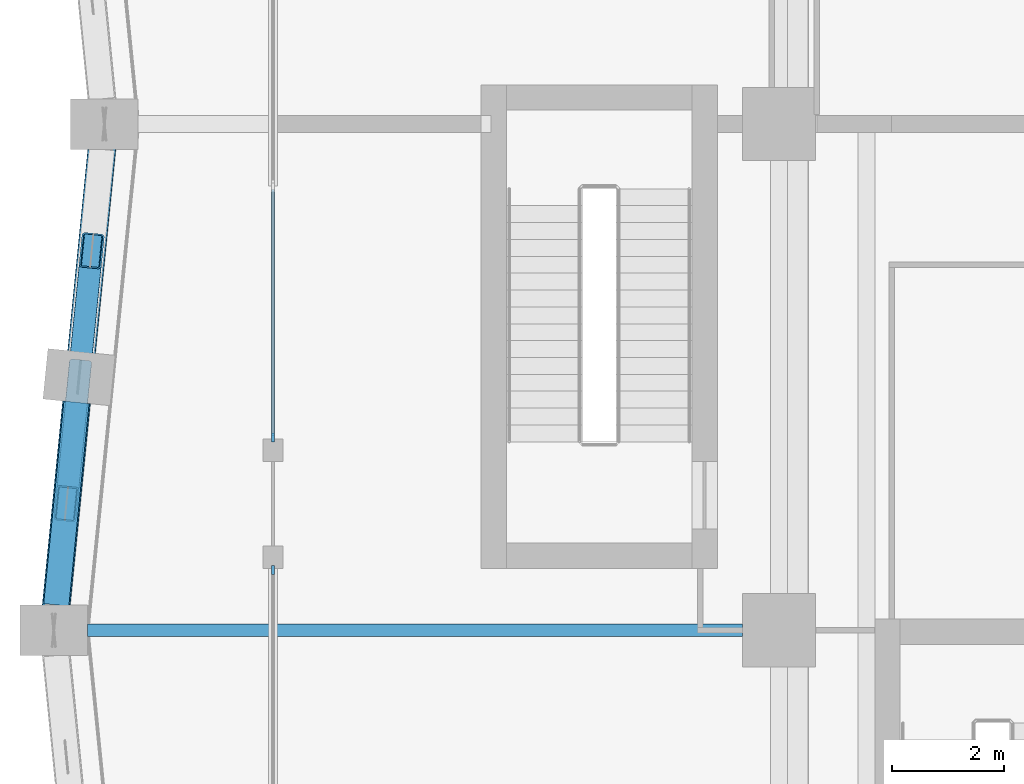
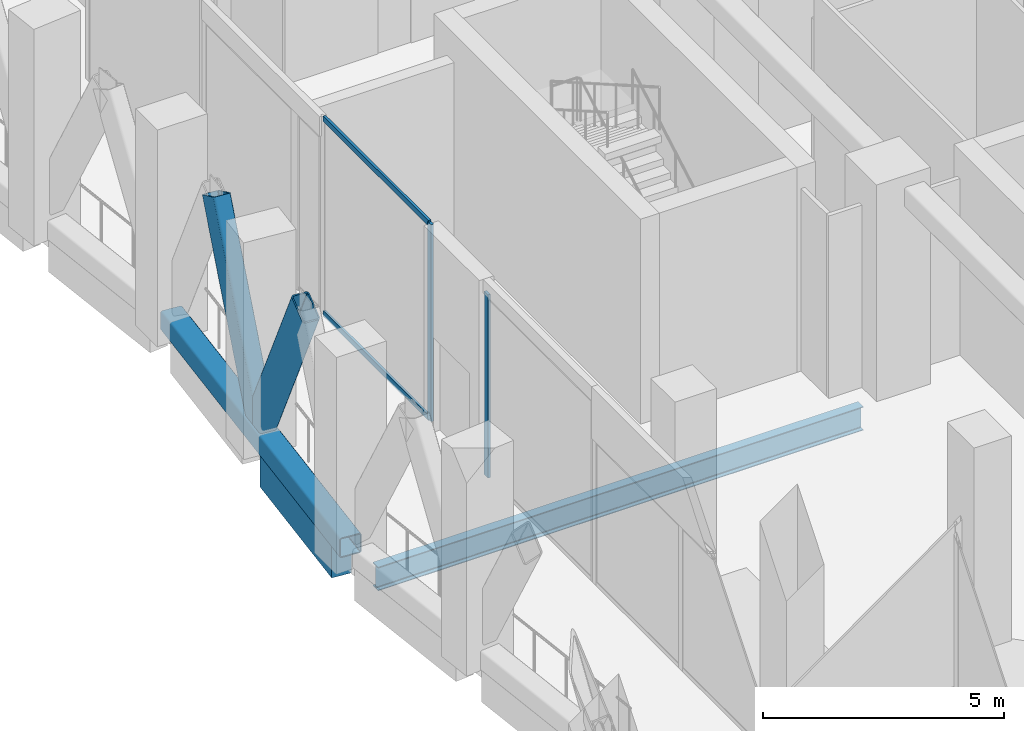
# One storey, part 5 of 37: 7 members, 2 beams, 2 elements without a shape of their own.
"""IFC4 building model written with IfcOpenShell, lengths in metres."""

import ifcopenshell
import ifcopenshell.guid

model = None  # the IFC model being written
_history = None  # IfcOwnerHistory: only IFC2X3 demands one
_inside = {}  # id of a spatial element -> (the spatial element, [elements in it])
_under = {}  # id of a project, library or spatial element -> (it, [spatial elements below it])
_declared = {}  # id of a project -> (the project, [libraries it declares])
_typed = {}  # id of a type object -> (the type object, [elements of that type])
_made_of = {}  # id of a material, layer set ... -> (it, [elements and type objects made of it])


def new_model(schema):
    """Start an empty IFC model of exactly this schema.

    Asked for "IFC4X3", IfcOpenShell would pick the latest addendum, in which some entities
    have other attributes; the version numbers below select the first issue.
    IFC2X3 requires an IfcOwnerHistory on every rooted entity: one is made here for all.
    """
    global model, _history
    if schema == "IFC4X3":
        model = ifcopenshell.file(schema_version=(4, 3, 0, 0))
    else:
        model = ifcopenshell.file(schema=schema)
    _inside.clear()
    _under.clear()
    _declared.clear()
    _typed.clear()
    _made_of.clear()
    _history = None
    if model.schema == "IFC2X3":
        org = make("IfcOrganization", Name="unknown")
        user = make(
            "IfcPersonAndOrganization",
            ThePerson=make("IfcPerson", FamilyName="unknown"),
            TheOrganization=org,
        )
        app = make(
            "IfcApplication",
            ApplicationDeveloper=org,
            Version="unknown",
            ApplicationFullName="unknown",
            ApplicationIdentifier="unknown",
        )
        _history = make(
            "IfcOwnerHistory",
            OwningUser=user,
            OwningApplication=app,
            ChangeAction="ADDED",
            CreationDate=0,
        )
    return model


def make(cls, **values):
    """One entity of the class cls with the attributes given. An attribute that is None is left unset."""
    return model.create_entity(
        cls, **{name: value for name, value in values.items() if value is not None}
    )


def rooted(cls, **values):
    """An entity with a GlobalId (a new one), such as an element, a storey or a relation."""
    return make(cls, GlobalId=ifcopenshell.guid.new(), OwnerHistory=_history, **values)


def si_unit(unit_type, name, prefix=None):
    """IfcSIUnit, for example si_unit("LENGTHUNIT", "METRE", prefix="MILLI")."""
    return make("IfcSIUnit", UnitType=unit_type, Prefix=prefix, Name=name)


def assignment(units):
    """IfcUnitAssignment: the units of a project."""
    return None if units is None else make("IfcUnitAssignment", Units=units)


def point(xyz):
    """IfcCartesianPoint."""
    return None if xyz is None else make("IfcCartesianPoint", Coordinates=xyz)


def direction(xyz):
    """IfcDirection."""
    return None if xyz is None else make("IfcDirection", DirectionRatios=xyz)


def frame(location, z_axis=None, x_axis=None):
    """IfcAxis2Placement3D, a coordinate frame: its origin and axes. An axis left out is left unset."""
    return make(
        "IfcAxis2Placement3D",
        Location=point(location),
        Axis=direction(z_axis),
        RefDirection=direction(x_axis),
    )


def frame_2d(location, x_axis=None):
    """IfcAxis2Placement2D, a coordinate frame in the plane: its origin and x axis."""
    return make(
        "IfcAxis2Placement2D", Location=point(location), RefDirection=direction(x_axis)
    )


def origin():
    """The frame at (0, 0, 0) with its axes left unset."""
    return frame((0.0, 0.0, 0.0))


def origin_2d():
    """The frame at (0, 0) in the plane with its x axis left unset."""
    return frame_2d((0.0, 0.0))


def place(relative_to, where):
    """IfcLocalPlacement: puts the frame where relative to a parent placement (None: the world)."""
    return make(
        "IfcLocalPlacement", PlacementRelTo=relative_to, RelativePlacement=where
    )


def context(
    kind, dimensions, precision=None, world=None, true_north=None, identifier=None
):
    """IfcGeometricRepresentationContext, for example the 3D "Model" context."""
    return make(
        "IfcGeometricRepresentationContext",
        ContextIdentifier=identifier,
        ContextType=kind,
        CoordinateSpaceDimension=dimensions,
        Precision=precision,
        WorldCoordinateSystem=world,
        TrueNorth=true_north,
    )


def subcontext(parent, identifier, kind, view, scale=None):
    """IfcGeometricRepresentationSubContext, for example "Body" below "Model"."""
    return make(
        "IfcGeometricRepresentationSubContext",
        ContextIdentifier=identifier,
        ContextType=kind,
        ParentContext=parent,
        TargetScale=scale,
        TargetView=view,
    )


def project(units=None, contexts=None):
    """IfcProject with its units and contexts."""
    return rooted(
        "IfcProject",
        Name="project",
        RepresentationContexts=contexts,
        UnitsInContext=assignment(units),
    )


def spatial(cls, under=None, at=None, **own):
    """A site, building, storey or space (cls), placed at a placement, below another one or the project."""
    s = rooted(cls, ObjectPlacement=at, **own)
    if under is not None:
        _under.setdefault(under.id(), (under, []))[1].append(s)
    return s


def profile(cls, at=None, kind="AREA", **sizes):
    """A parametric profile (cls). Its sizes go by their IFC names, for example OverallWidth=200.0."""
    return make(cls, ProfileType=kind, Position=at, **sizes)


def rectangle(**sizes):
    """IfcRectangleProfileDef."""
    return profile("IfcRectangleProfileDef", **sizes)


def hollow_rectangle(**sizes):
    """IfcRectangleHollowProfileDef."""
    return profile("IfcRectangleHollowProfileDef", **sizes)


def i_section(**sizes):
    """IfcIShapeProfileDef."""
    return profile("IfcIShapeProfileDef", **sizes)


def extrude(swept, where, along, depth):
    """IfcExtrudedAreaSolid: the profile swept, set in the frame where, extruded along a direction by depth."""
    return make(
        "IfcExtrudedAreaSolid",
        SweptArea=swept,
        Position=where,
        ExtrudedDirection=direction(along),
        Depth=depth,
    )


def shape(context_of_items, identifier, shape_type, items):
    """IfcShapeRepresentation: the items that make up one representation, for example the "Body"."""
    return make(
        "IfcShapeRepresentation",
        ContextOfItems=context_of_items,
        RepresentationIdentifier=identifier,
        RepresentationType=shape_type,
        Items=items,
    )


def material(Name=None, Category=None):
    """IfcMaterial."""
    return make("IfcMaterial", Name=Name, Category=Category)


def material_profile(
    of_material, cross_section, Name=None, Category=None, Priority=None
):
    """IfcMaterialProfile: a cross section and its material."""
    return make(
        "IfcMaterialProfile",
        Name=Name,
        Material=of_material,
        Profile=cross_section,
        Priority=Priority,
        Category=Category,
    )


def profile_set(profiles, Name=None, composite=None):
    """IfcMaterialProfileSet."""
    return make(
        "IfcMaterialProfileSet",
        Name=Name,
        MaterialProfiles=profiles,
        CompositeProfile=composite,
    )


def made_of(thing, what):
    """Note that an element or type object is made of a material, layer set ...; save() writes the relation."""
    if what is not None:
        _made_of.setdefault(what.id(), (what, []))[1].append(thing)
    return thing


def type_object(cls, material=None, **own):
    """A type object (cls), such as IfcWallType, which elements share."""
    return made_of(rooted(cls, **own), material)


def element(
    cls,
    number,
    at=None,
    inside=None,
    cuts=None,
    type_object=None,
    material=None,
    context=None,
    identifier="Body",
    shape_type=None,
    held_by="IfcProductDefinitionShape",
    body=None,
    shapes=None,
    **own,
):
    """One element of the class cls, such as IfcWall. Its Tag is "e" and its number.

    at: its placement. inside: the storey or other place that contains it. cuts: it is an
    opening in that element (IfcRelVoidsElement). A single representation is given by context,
    identifier, shape_type and body (its items); several are given by shapes. held_by: the class
    of the entity that holds the representations. save() writes the other relations.
    """
    e = rooted(cls, Tag="e%d" % number, ObjectPlacement=at, **own)
    if body is not None:
        shapes = [shape(context, identifier, shape_type, body)]
    if shapes is not None:
        e.Representation = make(held_by, Representations=shapes)
    if inside is not None:
        _inside.setdefault(inside.id(), (inside, []))[1].append(e)
    if cuts is not None:
        rooted(
            "IfcRelVoidsElement", RelatingBuildingElement=cuts, RelatedOpeningElement=e
        )
    if type_object is not None:
        _typed.setdefault(type_object.id(), (type_object, []))[1].append(e)
    return made_of(e, material)


def aggregate(whole, parts):
    """IfcRelAggregates: a whole, such as a stair, and the parts it consists of."""
    return rooted("IfcRelAggregates", RelatingObject=whole, RelatedObjects=parts)


def save(model, path):
    """Write the relations noted so far, then the file.

    IfcRelAggregates (storeys below a building ...), IfcRelContainedInSpatialStructure (elements
    in a storey), IfcRelDefinesByType, IfcRelAssociatesMaterial and IfcRelDeclares: one each for
    every whole, place, type object, material and project.
    """
    for whole, parts in _under.values():
        aggregate(whole, parts)
    for where, things in _inside.values():
        rooted(
            "IfcRelContainedInSpatialStructure",
            RelatedElements=things,
            RelatingStructure=where,
        )
    for kind, things in _typed.values():
        rooted("IfcRelDefinesByType", RelatedObjects=things, RelatingType=kind)
    for what, things in _made_of.values():
        rooted("IfcRelAssociatesMaterial", RelatedObjects=things, RelatingMaterial=what)
    for by, libraries in _declared.values():
        rooted("IfcRelDeclares", RelatingContext=by, RelatedDefinitions=libraries)
    model.write(path)


model = new_model("IFC4")

# Units and contexts
model_context = context("Model", 3, precision=1e-05, world=origin(), true_north=direction((0.0, 1.0)))
body_context = subcontext(model_context, "Body", "Model", "MODEL_VIEW")
ifc_project = project(units=[si_unit("LENGTHUNIT", "METRE"), si_unit("AREAUNIT", "SQUARE_METRE"), si_unit("VOLUMEUNIT", "CUBIC_METRE"), si_unit("PLANEANGLEUNIT", "RADIAN"), si_unit("MASSUNIT", "GRAM", prefix="KILO")], contexts=[model_context])

# Site, building, storey
site_placement = place(None, origin())
site = spatial("IfcSite", under=ifc_project, at=site_placement, CompositionType="ELEMENT")
building_placement = place(site_placement, origin())
building = spatial("IfcBuilding", under=site, at=building_placement, Name="Brondeck Convention Tower", CompositionType="ELEMENT")
storey_placement = place(building_placement, frame((0.0, 0.0, 137.89990234375)))
storey = spatial("IfcBuildingStorey", under=building, at=storey_placement, Name="L33", CompositionType="ELEMENT", Elevation=137.89990234375)

# Curtain wall, member
ifc_material_1 = material(Name="Aluminium, bronze anodised", Category="aluminium")
curtain_wall_type = type_object("IfcCurtainWallType", Name="Sky lobby curtain wall", PredefinedType="NOTDEFINED", material=ifc_material_1)
curtain_wall_1_placement = place(storey_placement, origin())
curtain_wall_1 = element("IfcCurtainWall", 1, at=curtain_wall_1_placement, inside=storey, type_object=curtain_wall_type, Name="ENV-L33-030-CW30", PredefinedType="NOTDEFINED")
ifc_material_profile_1 = material_profile(ifc_material_1, rectangle(XDim=0.06005859375, YDim=0.159912109375, at=origin_2d()), Name="CW3 mullion")
ifc_profile_set_1 = profile_set([ifc_material_profile_1], Name="Aluminium, bronze anodised")
member_type_1 = type_object("IfcMemberType", Name="CW3 mullion", PredefinedType="MULLION", material=ifc_profile_set_1)
member_1_placement = place(storey_placement, frame((3.0, 21.429931640625, 0.0), z_axis=(0.0, 0.0, 1.0), x_axis=(-1.0, 0.0, 0.0)))
member_1 = element("IfcMember", 2, at=member_1_placement, type_object=member_type_1, Name="CW3 mullion 1", PredefinedType="MULLION", context=body_context, shape_type="SweptSolid", body=[
    extrude(rectangle(XDim=0.06005859375, YDim=0.159912109375, at=origin_2d()), origin(), (0.0, 0.0, 1.0), 5.0),
])

curtain_wall_2_placement = place(storey_placement, origin())
curtain_wall_2 = element("IfcCurtainWall", 3, at=curtain_wall_2_placement, inside=storey, type_object=curtain_wall_type, Name="ENV-L33-032-CW30", PredefinedType="NOTDEFINED")
member_2_placement = place(storey_placement, frame((3.0, 19.070068359375, 0.0), z_axis=(0.0, 0.0, 1.0), x_axis=(-1.0, 0.0, 0.0)))
member_2 = element("IfcMember", 4, at=member_2_placement, type_object=member_type_1, Name="CW3 mullion 2", PredefinedType="MULLION", context=body_context, shape_type="SweptSolid", body=[
    extrude(rectangle(XDim=0.06005859375, YDim=0.159912109375, at=origin_2d()), origin(), (0.0, 0.0, 1.0), 4.650146484375),
])
aggregate(curtain_wall_2, [member_2])

# Member
ifc_material_profile_2 = material_profile(ifc_material_1, rectangle(XDim=0.06005859375, YDim=0.139892578125, at=origin_2d()), Name="CW3 transom")
ifc_profile_set_2 = profile_set([ifc_material_profile_2], Name="Aluminium, bronze anodised")
member_type_2 = type_object("IfcMemberType", Name="CW3 transom", PredefinedType="USERDEFINED", material=ifc_profile_set_2)
member_3_placement = place(storey_placement, frame((3.0, 21.4599609375, 0.030029296875), z_axis=(0.0, 1.0, 0.0), x_axis=(-1.0, 0.0, 0.0)))
member_3 = element("IfcMember", 5, at=member_3_placement, type_object=member_type_2, Name="CW3 transom 1.1", ObjectType="TRANSOM", PredefinedType="USERDEFINED", context=body_context, shape_type="SweptSolid", body=[
    extrude(rectangle(XDim=0.06005859375, YDim=0.139892578125, at=origin_2d()), origin(), (0.0, 0.0, 1.0), 4.380126953125),
])

member_4_placement = place(storey_placement, frame((3.0, 21.4599609375, 4.97021484375), z_axis=(0.0, 1.0, 0.0), x_axis=(-1.0, 0.0, 0.0)))
member_4 = element("IfcMember", 6, at=member_4_placement, type_object=member_type_2, Name="CW3 transom 1.2", ObjectType="TRANSOM", PredefinedType="USERDEFINED", context=body_context, shape_type="SweptSolid", body=[
    extrude(rectangle(XDim=0.06005859375, YDim=0.139892578125, at=origin_2d()), origin(), (0.0, 0.0, 1.0), 4.380126953125),
])

aggregate(curtain_wall_1, [member_1, member_3, member_4])

# Members
ifc_material_2 = material(Name="Steel S460", Category="steel")
ifc_material_profile_3 = material_profile(ifc_material_2, hollow_rectangle(XDim=0.39990234375, YDim=0.699951171875, WallThickness=0.030029296875, InnerFilletRadius=0.030029296875, OuterFilletRadius=0.06005859375, at=origin_2d()), Name="RHS 700x400x30")
ifc_profile_set_3 = profile_set([ifc_material_profile_3], Name="Steel S460")
member_type_3 = type_object("IfcMemberType", Name="Chevron brace RHS 700x400x30", PredefinedType="BRACE", material=ifc_profile_set_3)
for number, where, z_axis, x_axis, name in (
    (7, (-0.449951171875, 22.5, 0.5), (0.045863256892, 0.458931352356, 0.887287200117), (-0.995043602151, 0.099439578731, 0.0), "Belt truss BT-33-54 diagonal"),
    (8, (-0.449951171875, 22.5, 0.5), (-0.045912949215, -0.458930303654, 0.887285172581), (0.995032913332, -0.099546478526, 0.0), "Belt truss BT-33-55 diagonal"),
):
    element("IfcMember", number, at=place(storey_placement, frame(where, z_axis=z_axis, x_axis=x_axis)), inside=storey, type_object=member_type_3, Name=name, PredefinedType="BRACE", context=body_context, shape_type="SweptSolid", body=[
        extrude(hollow_rectangle(XDim=0.39990234375, YDim=0.699951171875, WallThickness=0.030029296875, InnerFilletRadius=0.030029296875, OuterFilletRadius=0.06005859375, at=origin_2d()), origin(), (0.0, 0.0, 1.0), 4.902587890625),
    ])

# Beams
ifc_material_3 = material(Name="Steel S355", Category="steel")
ifc_material_profile_4 = material_profile(ifc_material_3, i_section(OverallWidth=0.219970703125, OverallDepth=0.60009765625, WebThickness=0.011962890625, FlangeThickness=0.01904296875, FilletRadius=0.02392578125, at=origin_2d()), Name="IPE 600")
ifc_profile_set_4 = profile_set([ifc_material_profile_4], Name="Steel S355")
beam_type_1 = type_object("IfcBeamType", Name="Floor beam IPE 600", PredefinedType="BEAM", material=ifc_profile_set_4)
beam_1_placement = place(storey_placement, frame((-0.300048828125, 18.0, -0.75), z_axis=(1.0, 0.0, 0.0), x_axis=(0.0, 1.0, 0.0)))
element("IfcBeam", 9, at=beam_1_placement, inside=storey, type_object=beam_type_1, Name="STR-FB-L33-012", PredefinedType="BEAM", context=body_context, shape_type="SweptSolid", body=[
    extrude(i_section(OverallWidth=0.219970703125, OverallDepth=0.60009765625, WebThickness=0.011962890625, FlangeThickness=0.01904296875, FilletRadius=0.02392578125, at=origin_2d()), origin(), (0.0, 0.0, 1.0), 11.650146484375),
])
ifc_material_4 = material(Name="Concrete C70/85", Category="concrete")
ifc_material_profile_5 = material_profile(ifc_material_4, rectangle(XDim=0.449951171875, YDim=0.800048828125, at=origin_2d()), Name="Precast spandrel 450x800 Concrete C70/85")
ifc_profile_set_5 = profile_set([ifc_material_profile_5], Name="Concrete C70/85")
beam_type_2 = type_object("IfcBeamType", Name="Precast spandrel 450x800 Concrete C70/85", PredefinedType="SPANDREL", material=ifc_profile_set_5)
beam_2_placement = place(storey_placement, frame((-0.494873046875, 22.05224609375, -0.39990234375), z_axis=(-0.099470334057, -0.995040528141, 0.0), x_axis=(0.995040528141, -0.099470334057, 0.0)))
element("IfcBeam", 10, at=beam_2_placement, inside=storey, type_object=beam_type_2, Name="STR-SP-L33-055", PredefinedType="SPANDREL", context=body_context, shape_type="SweptSolid", body=[
    extrude(rectangle(XDim=0.449951171875, YDim=0.800048828125, at=origin_2d()), origin(), (0.0, 0.0, 1.0), 3.620361328125),
])

# Member
ifc_material_profile_6 = material_profile(ifc_material_2, hollow_rectangle(XDim=0.5, YDim=0.5, WallThickness=0.02490234375, InnerFilletRadius=0.02490234375, OuterFilletRadius=0.050048828125, at=origin_2d()), Name="RHS 500x500x25")
ifc_profile_set_6 = profile_set([ifc_material_profile_6], Name="Steel S460")
member_type_4 = type_object("IfcMemberType", Name="Truss chord RHS 500x500x25", PredefinedType="CHORD", material=ifc_profile_set_6)
member_5_placement = place(storey_placement, frame((0.0, 27.0, 0.25), z_axis=(-0.099493029059, -0.995038259148, 0.0), x_axis=(0.995038259148, -0.099493029059, 0.0)))
element("IfcMember", 11, at=member_5_placement, inside=storey, type_object=member_type_4, Name="Belt truss BT-33-30 chord", PredefinedType="CHORD", context=body_context, shape_type="SweptSolid", body=[
    extrude(hollow_rectangle(XDim=0.5, YDim=0.5, WallThickness=0.02490234375, InnerFilletRadius=0.02490234375, OuterFilletRadius=0.050048828125, at=origin_2d()), origin(), (0.0, 0.0, 1.0), 9.044921875),
])

save(model, "model.ifc")
